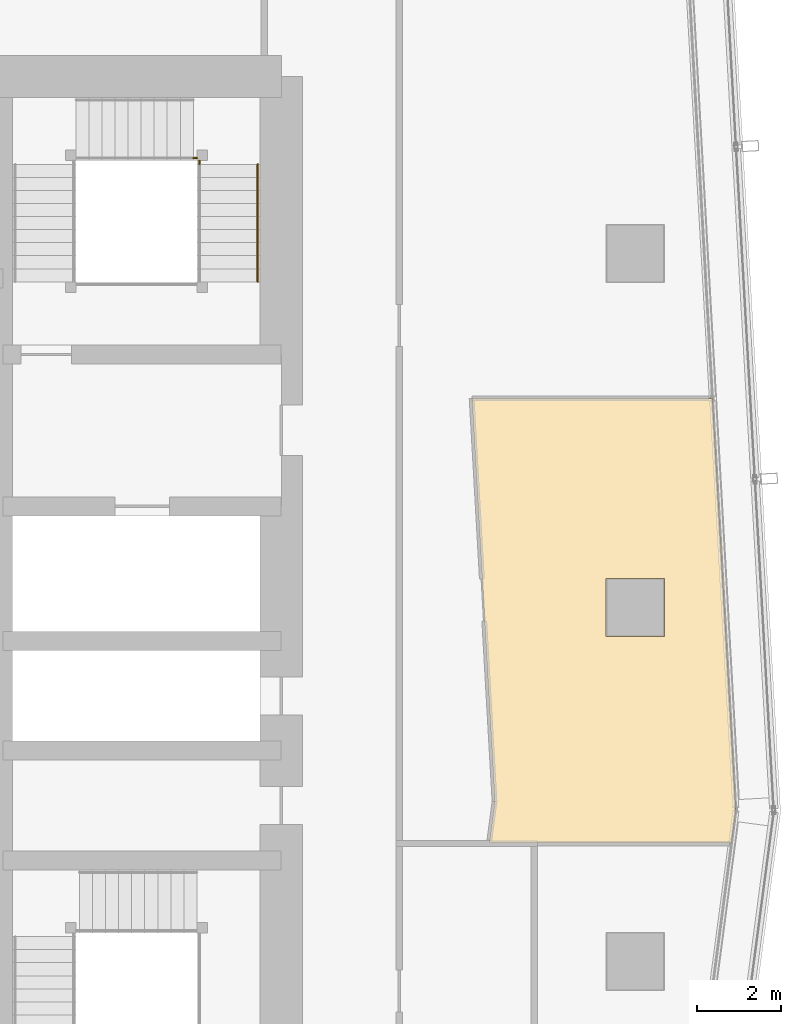
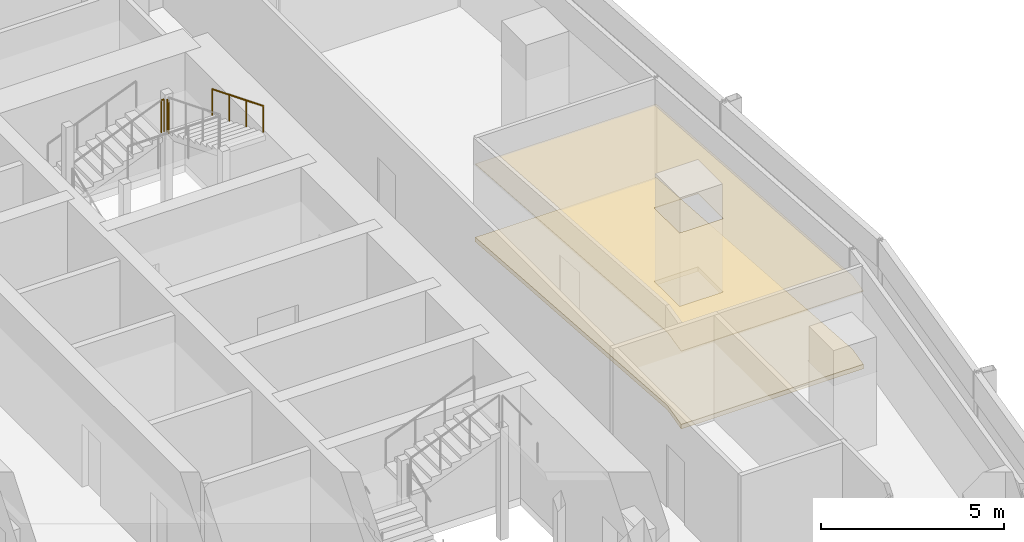
# One storey, part 39 of 40: 3 railings, 2 coverings.
"""IFC4 building model written with IfcOpenShell, lengths in metres."""

from ifc_helpers import new_model, si_unit, direction, frame, origin, origin_2d, place, context, subcontext, project, spatial, polyline, circle, outline, extrude, material, layer, layer_set, type_object, element, save


model = new_model("IFC4")

# Units and contexts
model_context = context("Model", 3, precision=1e-05, world=origin(), true_north=direction((0.0, 1.0)))
body_context = subcontext(model_context, "Body", "Model", "MODEL_VIEW")
ifc_project = project(units=[si_unit("LENGTHUNIT", "METRE"), si_unit("AREAUNIT", "SQUARE_METRE"), si_unit("VOLUMEUNIT", "CUBIC_METRE"), si_unit("PLANEANGLEUNIT", "RADIAN"), si_unit("MASSUNIT", "GRAM", prefix="KILO")], contexts=[model_context])

# Site, building, storey
site_placement = place(None, origin())
site = spatial("IfcSite", under=ifc_project, at=site_placement, CompositionType="ELEMENT")
building_placement = place(site_placement, origin())
building = spatial("IfcBuilding", under=site, at=building_placement, Name="Rekha Terrace Tower", CompositionType="ELEMENT")
storey_placement = place(building_placement, frame((0.0, 0.0, 213.949951171875)))
storey = spatial("IfcBuildingStorey", under=building, at=storey_placement, Name="L54", CompositionType="ELEMENT", Elevation=213.949951171875)

# Covering
ifc_material_1 = material(Name="Mineral fibre tile in exposed grid", Category="finish")
ifc_layer_1 = layer(ifc_material_1, 0.02001953125)
ifc_layer_set_1 = layer_set([ifc_layer_1], Name="Mineral fibre tile in exposed grid")
covering_type_1 = type_object("IfcCoveringType", Name="CL1 600x1200 office grid ceiling", PredefinedType="CEILING", material=ifc_layer_set_1)
covering_1_placement = place(storey_placement, frame((0.0, 0.0, 2.580078125)))
element("IfcCovering", 1, at=covering_1_placement, inside=storey, type_object=covering_type_1, Name="Ceiling L54-05", PredefinedType="CEILING", context=body_context, shape_type="SweptSolid", body=[
    extrude(outline(polyline([(55.465087890625, 28.9951171875), (55.3349609375, 28.013916015625), (61.083984375, 28.013916015625), (61.18603515625, 28.780029296875), (60.631103515625, 38.554931640625), (54.922119140625, 38.554931640625), (55.465087890625, 28.9951171875)]), holes=[polyline([(59.489990234375, 34.2900390625), (59.489990234375, 32.909912109375), (58.110107421875, 32.909912109375), (58.110107421875, 34.2900390625), (59.489990234375, 34.2900390625)])]), origin(), (0.0, 0.0, 1.0), 0.02001953125),
])

# Railings
ifc_material_2 = material(Name="Stainless steel balustrade", Category="steel")
railing_type_1 = type_object("IfcRailingType", Name="GR1 1100 stair guard", PredefinedType="GUARDRAIL", material=ifc_material_2)
railing_1_placement = place(storey_placement, frame((48.31494140625, 44.260009765625, 2.5)))
element("IfcRailing", 2, at=railing_1_placement, inside=storey, type_object=railing_type_1, Name="Guard ST2 L54 landing 2", PredefinedType="GUARDRAIL", context=body_context, shape_type="SweptSolid", body=[
    extrude(circle(Radius=0.02392578125, at=origin_2d()), frame((0.0, 0.0, 1.076171875), z_axis=(1.0, 0.0, 0.0), x_axis=(0.0, 1.0, 0.0)), (0.0, 0.0, 1.0), 0.0849609375),
    extrude(circle(Radius=0.02099609375, at=origin_2d()), origin(), (0.0, 0.0, 1.0), 1.052001953125),
    extrude(circle(Radius=0.02099609375, at=origin_2d()), frame((0.0849609375, 0.0, 0.0)), (0.0, 0.0, 1.0), 1.052001953125),
])
railing_2_placement = place(storey_placement, frame((48.4599609375, 44.114990234375, 2.5)))
element("IfcRailing", 3, at=railing_2_placement, inside=storey, type_object=railing_type_1, Name="Guard ST2 L54 landing 3", PredefinedType="GUARDRAIL", context=body_context, shape_type="SweptSolid", body=[
    extrude(circle(Radius=0.02392578125, at=origin_2d()), frame((0.0, 0.0, 1.076171875), z_axis=(0.0, 1.0, 0.0), x_axis=(-1.0, 0.0, 0.0)), (0.0, 0.0, 1.0), 0.0849609375),
    extrude(circle(Radius=0.02099609375, at=origin_2d()), origin(), (0.0, 0.0, 1.0), 1.052001953125),
    extrude(circle(Radius=0.02099609375, at=origin_2d()), frame((0.0, 0.0849609375, 0.0)), (0.0, 0.0, 1.0), 1.052001953125),
])
ifc_material_3 = material(Name="Stainless steel tube", Category="steel")
railing_type_2 = type_object("IfcRailingType", Name="HR1 900 stair handrail", PredefinedType="HANDRAIL", material=ifc_material_3)
railing_3_placement = place(storey_placement, frame((49.840087890625, 44.114990234375, 2.625)))
element("IfcRailing", 4, at=railing_3_placement, inside=storey, type_object=railing_type_2, Name="Handrail ST2 L54 flight 3", PredefinedType="HANDRAIL", context=body_context, shape_type="SweptSolid", body=[
    extrude(circle(Radius=0.02392578125, at=origin_2d()), frame((0.0, 0.0, 0.8759765625), z_axis=(0.0, -0.927443287984, 0.373963831907), x_axis=(1.0, 0.0, 0.0)), (0.0, 0.0, 1.0), 3.00830078125),
    extrude(circle(Radius=0.02099609375, at=origin_2d()), origin(), (0.0, 0.0, 1.0), 0.851806640625),
    extrude(circle(Radius=0.02099609375, at=origin_2d()), frame((0.0, -0.929931640625, 0.375)), (0.0, 0.0, 1.0), 0.851806640625),
    extrude(circle(Radius=0.02099609375, at=origin_2d()), frame((0.0, -1.860107421875, 0.75)), (0.0, 0.0, 1.0), 0.851806640625),
    extrude(circle(Radius=0.02099609375, at=origin_2d()), frame((0.0, -2.7900390625, 1.125)), (0.0, 0.0, 1.0), 0.851806640625),
])

# Covering
ifc_material_4 = material(Name="Calcium sulphate panels on steel pedestals", Category="steel")
ifc_layer_2 = layer(ifc_material_4, 0.14990234375)
ifc_layer_set_2 = layer_set([ifc_layer_2], Name="Calcium sulphate panels on steel pedestals")
covering_type_2 = type_object("IfcCoveringType", Name="RF1 150 raised access floor", PredefinedType="FLOORING", material=ifc_layer_set_2)
covering_2_placement = place(storey_placement, origin())
element("IfcCovering", 5, at=covering_2_placement, inside=storey, type_object=covering_type_2, Name="Raised floor L54-05", PredefinedType="FLOORING", context=body_context, shape_type="SweptSolid", body=[
    extrude(outline(polyline([(55.465087890625, 28.9951171875), (55.3349609375, 28.013916015625), (61.083984375, 28.013916015625), (61.18603515625, 28.780029296875), (60.631103515625, 38.554931640625), (54.922119140625, 38.554931640625), (55.465087890625, 28.9951171875)]), holes=[polyline([(59.489990234375, 34.2900390625), (59.489990234375, 32.909912109375), (58.110107421875, 32.909912109375), (58.110107421875, 34.2900390625), (59.489990234375, 34.2900390625)])]), origin(), (0.0, 0.0, 1.0), 0.150146484375),
])

save(model, "model.ifc")
